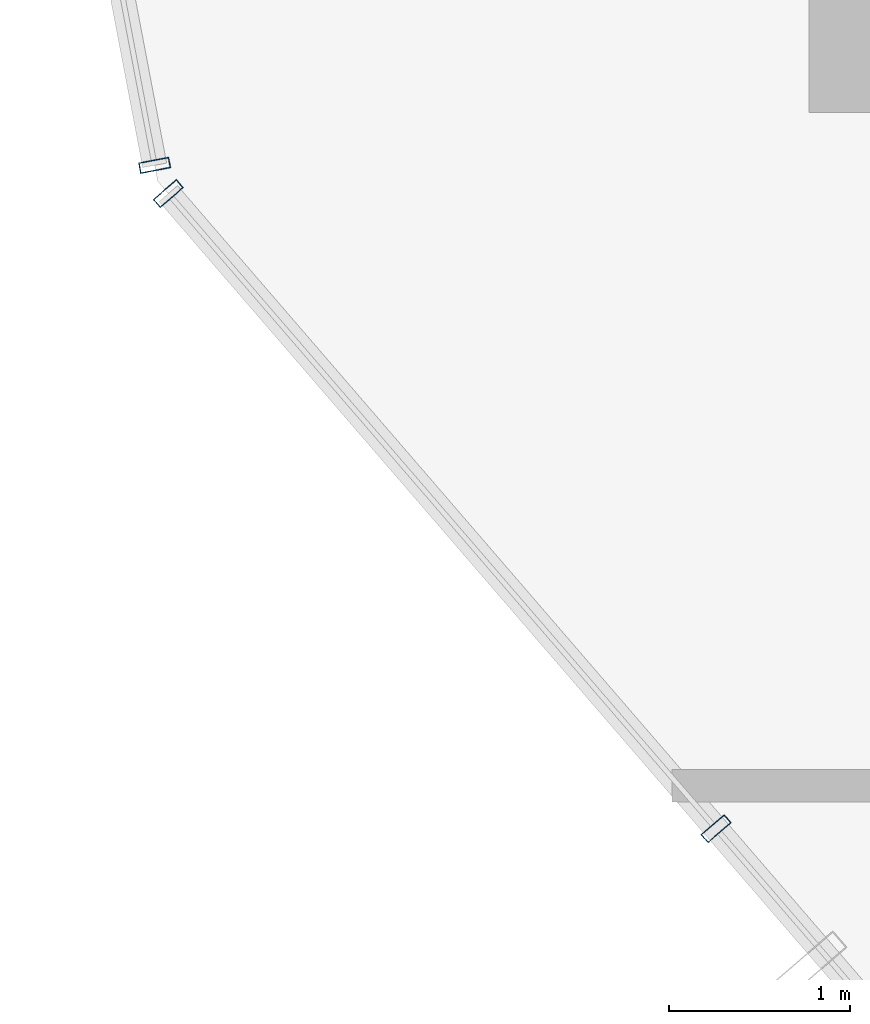
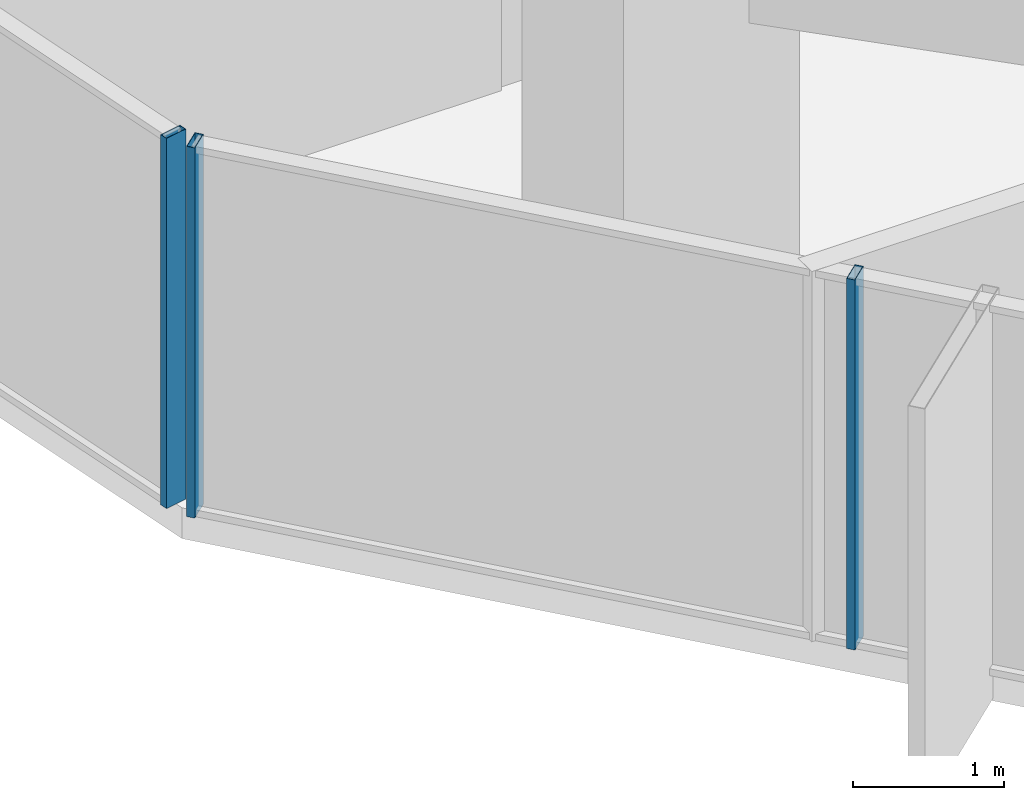
# One storey, part 4 of 38: 3 members, 2 elements without a shape of their own.
"""IFC4 building model written with IfcOpenShell, lengths in metres."""

from ifc_helpers import new_model, si_unit, direction, frame, origin, origin_2d, place, context, subcontext, project, spatial, hollow_rectangle, extrude, source, transform, mapped, material, layer, layer_set, material_profile, profile_set, type_object, element, aggregate, save


model = new_model("IFC4")

# Units and contexts
model_context = context("Model", 3, precision=1e-05, world=origin(), true_north=direction((0.0, 1.0)))
body_context = subcontext(model_context, "Body", "Model", "MODEL_VIEW")
ifc_project = project(units=[si_unit("LENGTHUNIT", "METRE"), si_unit("AREAUNIT", "SQUARE_METRE"), si_unit("VOLUMEUNIT", "CUBIC_METRE"), si_unit("PLANEANGLEUNIT", "RADIAN"), si_unit("MASSUNIT", "GRAM", prefix="KILO")], contexts=[model_context])

# Site, building, storey
site_placement = place(None, origin())
site = spatial("IfcSite", under=ifc_project, at=site_placement, CompositionType="ELEMENT")
building_placement = place(site_placement, origin())
building = spatial("IfcBuilding", under=site, at=building_placement, Name="Veraguas Prism Commons", CompositionType="ELEMENT")
storey_placement = place(building_placement, frame((0.0, 0.0, 60.85009765625)))
storey = spatial("IfcBuildingStorey", under=building, at=storey_placement, Name="L16", CompositionType="ELEMENT", Elevation=60.85009765625)

# Curtain wall, members
ifc_material = material(Name="Anodised aluminium EN AW-6063 T6", Category="aluminium")
ifc_layer = layer(ifc_material, 0.169921875, Name="Unitised Flush Curtain Wall Zone 1", Category="aluminium")
ifc_layer_set = layer_set([ifc_layer], Name="Anodised aluminium EN AW-6063 T6")
curtain_wall_type = type_object("IfcCurtainWallType", Name="Unitised Flush Curtain Wall Zone 1", PredefinedType="NOTDEFINED", material=ifc_layer_set)
curtain_wall_1_placement = place(storey_placement, origin())
curtain_wall_1 = element("IfcCurtainWall", 1, at=curtain_wall_1_placement, inside=storey, type_object=curtain_wall_type, Name="Tower Facade Curtain Wall L16-F4", PredefinedType="NOTDEFINED")
ifc_material_profile = material_profile(ifc_material, hollow_rectangle(XDim=0.06005859375, YDim=0.169921875, WallThickness=0.00390625, at=origin_2d()), Name="AL60X170X4")
ifc_profile_set = profile_set([ifc_material_profile], Name="Anodised aluminium EN AW-6063 T6")
member_type = type_object("IfcMemberType", Name="Curtain Wall Mullion Lower AL 60x170x4", PredefinedType="MULLION", material=ifc_profile_set)
shared_shape = source(origin(), body_context, "Body", "SweptSolid", [
    extrude(hollow_rectangle(XDim=0.06005859375, YDim=0.169921875, WallThickness=0.00390625, at=origin_2d()), origin(), (0.0, 0.0, 1.0), 3.0),
])
member_1_placement = place(storey_placement, frame((2.17919921875, 17.4755859375, 0.0), z_axis=(0.0, 0.0, 1.0), x_axis=(0.653149715021, -0.757228796182, 0.0)))
member_1 = element("IfcMember", 2, at=member_1_placement, type_object=member_type, Name="CW-Z1 Mullion 1", PredefinedType="MULLION", context=body_context, shape_type="MappedRepresentation", body=[
    mapped(shared_shape, transform((0.0, 0.0, 0.0), scale=1.0)),
])
member_2_placement = place(storey_placement, frame((5.21044921875, 13.96142578125, 0.0), z_axis=(0.0, 0.0, 1.0), x_axis=(0.653149715021, -0.757228796182, 0.0)))
member_2 = element("IfcMember", 3, at=member_2_placement, type_object=member_type, Name="CW-Z1 Mullion 2", PredefinedType="MULLION", context=body_context, shape_type="MappedRepresentation", body=[
    mapped(shared_shape, transform((0.0, 0.0, 0.0), scale=1.0)),
])
aggregate(curtain_wall_1, [member_1, member_2])

# Curtain wall, member
curtain_wall_2_placement = place(storey_placement, origin())
curtain_wall_2 = element("IfcCurtainWall", 4, at=curtain_wall_2_placement, inside=storey, type_object=curtain_wall_type, Name="Chamfer Curtain Wall L16-C4", PredefinedType="NOTDEFINED")
member_3_placement = place(storey_placement, frame((2.103759765625, 17.632080078125, 0.0), z_axis=(0.0, 0.0, 1.0), x_axis=(0.187053850978, -0.982349661187, 0.0)))
member_3 = element("IfcMember", 5, at=member_3_placement, type_object=member_type, Name="CW-Z1 Mullion 2", PredefinedType="MULLION", context=body_context, shape_type="MappedRepresentation", body=[
    mapped(shared_shape, transform((0.0, 0.0, 0.0), scale=1.0)),
])
aggregate(curtain_wall_2, [member_3])

save(model, "model.ifc")
